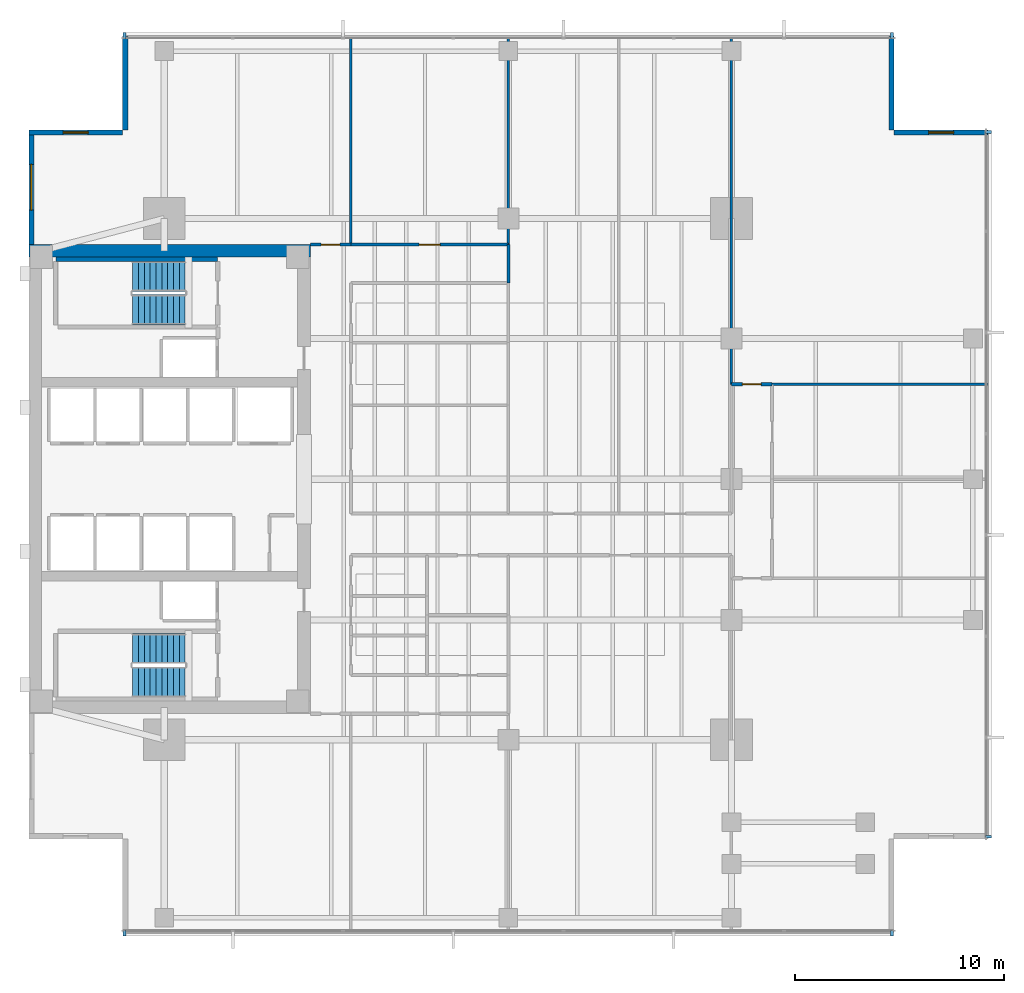
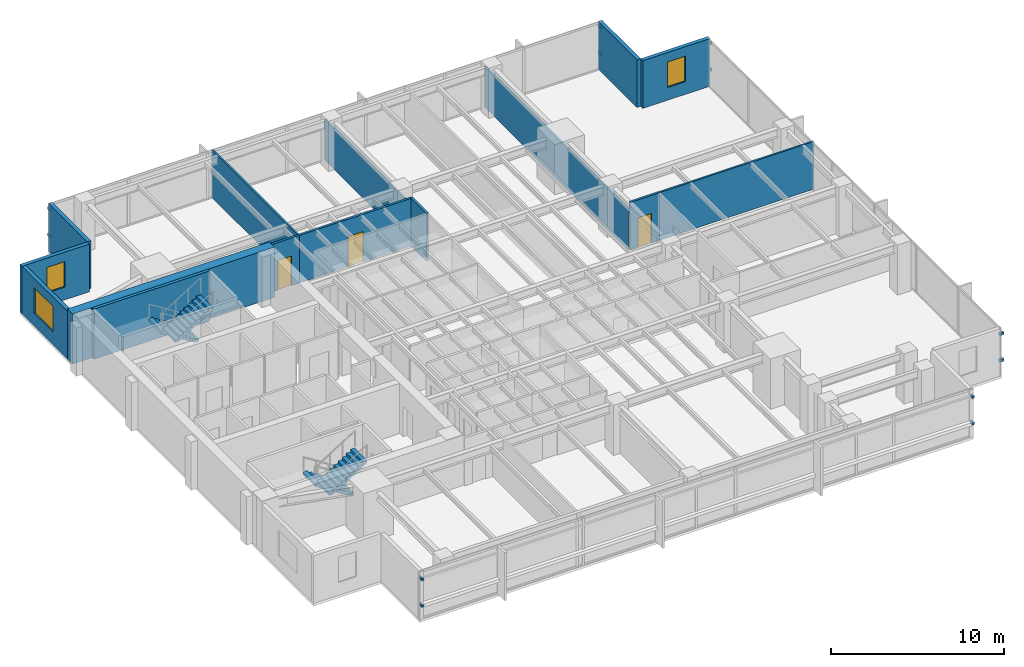
# One storey, part 10 of 14: 15 walls, 12 discrete accessories, 4 stair flights, 3 doors, 3 windows, 6 openings, 2 elements without a shape of their own.
"""IFC4 building model written with IfcOpenShell, lengths in metres."""

from ifc_helpers import new_model, si_unit, direction, frame, frame_2d, origin, origin_2d, place, context, subcontext, project, spatial, polyline, rectangle, outline, extrude, material, layer, layer_set, type_object, element, fill, aggregate, save


model = new_model("IFC4")

# Units and contexts
model_context = context("Model", 3, precision=1e-05, world=origin(), true_north=direction((0.0, 1.0)))
body_context = subcontext(model_context, "Body", "Model", "MODEL_VIEW")
ifc_project = project(units=[si_unit("LENGTHUNIT", "METRE"), si_unit("AREAUNIT", "SQUARE_METRE"), si_unit("VOLUMEUNIT", "CUBIC_METRE"), si_unit("PLANEANGLEUNIT", "RADIAN"), si_unit("MASSUNIT", "GRAM", prefix="KILO")], contexts=[model_context])

# Site, building, storey
site_placement = place(None, origin())
site = spatial("IfcSite", under=ifc_project, at=site_placement, CompositionType="ELEMENT")
building_placement = place(site_placement, origin())
building = spatial("IfcBuilding", under=site, at=building_placement, Name="Kinhvarn Gate Tower", CompositionType="ELEMENT")
storey_placement = place(building_placement, frame((0.0, 0.0, 166.14990234375)))
storey = spatial("IfcBuildingStorey", under=building, at=storey_placement, Name="L44", CompositionType="ELEMENT", Elevation=166.14990234375)

# Wall
ifc_material_1 = material(Name="Concrete C60/75", Category="concrete")
ifc_layer_1 = layer(ifc_material_1, 0.60009765625)
ifc_layer_set_1 = layer_set([ifc_layer_1], Name="Concrete C60/75")
wall_type_1 = type_object("IfcWallType", Name="WL-CORE-600", PredefinedType="SHEAR", material=ifc_layer_set_1)
wall_1_placement = place(storey_placement, frame((4.5, 36.199951171875, 0.0), z_axis=(0.0, 0.0, 1.0), x_axis=(1.0, 0.0, 0.0)))
element("IfcWall", 1, at=wall_1_placement, inside=storey, type_object=wall_type_1, Name="Core North Shear Wall L44 600 mm", PredefinedType="SHEAR", context=body_context, shape_type="SweptSolid", body=[
    extrude(rectangle(XDim=13.5, YDim=0.60009765625, at=frame_2d((6.75, 0.0))), origin(), (0.0, 0.0, 1.0), 3.550048828125),
])

# Wall, opening, window
ifc_material_2 = material(Name="Fired architectural terracotta", Category="masonry")
ifc_layer_2 = layer(ifc_material_2, 0.25)
ifc_layer_set_2 = layer_set([ifc_layer_2], Name="Fired architectural terracotta")
wall_type_2 = type_object("IfcWallType", Name="WL-EXT-250", PredefinedType="SOLIDWALL", material=ifc_layer_set_2)
wall_2_placement = place(storey_placement, frame((4.625, 42.0, 0.0), z_axis=(0.0, 0.0, 1.0), x_axis=(0.0, -1.0, 0.0)))
wall_2 = element("IfcWall", 2, at=wall_2_placement, inside=storey, type_object=wall_type_2, Name="Exterior Solidwall Wall EW-250 (L44 West-North)", PredefinedType="SOLIDWALL", context=body_context, shape_type="SweptSolid", body=[
    extrude(rectangle(XDim=5.5, YDim=0.25, at=frame_2d((2.75, 0.0))), origin(), (0.0, 0.0, 1.0), 3.3701171875),
])
opening_1_placement = place(wall_2_placement, frame((1.64990234375, 0.0, 0.89990234375)))
opening_1 = element("IfcOpeningElement", 3, at=opening_1_placement, cuts=wall_2, Name="Opening WN-01", PredefinedType="OPENING", context=body_context, shape_type="SweptSolid", body=[
    extrude(rectangle(XDim=2.199951171875, YDim=1.800048828125, at=frame_2d((1.10009765625, 0.89990234375))), frame((0.0, 0.135009765625, 0.0), z_axis=(0.0, -1.0, 0.0), x_axis=(1.0, 0.0, 0.0)), (0.0, 0.0, 1.0), 0.27001953125),
])
ifc_material_3 = material(Name="Clear low-e double glazing", Category="glass")
window_type_1 = type_object("IfcWindowType", Name="WIN-RIB-2200", PartitioningType="SINGLE_PANEL", PredefinedType="WINDOW", material=ifc_material_3)
window_1_placement = place(opening_1_placement, origin())
window_1 = element("IfcWindow", 4, at=window_1_placement, inside=storey, type_object=window_type_1, Name="West Flank Double-Glazed Ribbon Window 2200x1800 mm (L44)", OverallHeight=1.800048828125, OverallWidth=2.199951171875, PartitioningType="SINGLE_PANEL", PredefinedType="WINDOW", context=body_context, shape_type="SweptSolid", body=[
    extrude(rectangle(XDim=2.199951171875, YDim=1.800048828125, at=frame_2d((1.10009765625, 0.89990234375))), frame((0.0, 0.030029296875, 0.0), z_axis=(0.0, -1.0, 0.0), x_axis=(1.0, 0.0, 0.0)), (0.0, 0.0, 1.0), 0.06005859375),
])
fill(opening_1, window_1)

wall_3_placement = place(storey_placement, frame((50.5, 41.875, 0.0), z_axis=(0.0, 0.0, 1.0), x_axis=(-1.0, 0.0, 0.0)))
wall_3 = element("IfcWall", 5, at=wall_3_placement, inside=storey, type_object=wall_type_2, Name="Exterior Solidwall Wall EW-250 (L44 NE-Notch-1)", PredefinedType="SOLIDWALL", context=body_context, shape_type="SweptSolid", body=[
    extrude(rectangle(XDim=4.5, YDim=0.25, at=frame_2d((2.25, 0.0))), origin(), (0.0, 0.0, 1.0), 3.3701171875),
])
opening_2_placement = place(wall_3_placement, frame((1.64990234375, 0.0, 0.89990234375)))
opening_2 = element("IfcOpeningElement", 6, at=opening_2_placement, cuts=wall_3, Name="Opening WN-02", PredefinedType="OPENING", context=body_context, shape_type="SweptSolid", body=[
    extrude(rectangle(XDim=1.199951171875, YDim=1.800048828125, at=frame_2d((0.60009765625, 0.89990234375))), frame((0.0, 0.135009765625, 0.0), z_axis=(0.0, -1.0, 0.0), x_axis=(1.0, 0.0, 0.0)), (0.0, 0.0, 1.0), 0.27001953125),
])
window_type_2 = type_object("IfcWindowType", Name="WIN-NTC-1200", PartitioningType="SINGLE_PANEL", PredefinedType="WINDOW", material=ifc_material_3)
window_2_placement = place(opening_2_placement, origin())
window_2 = element("IfcWindow", 7, at=window_2_placement, inside=storey, type_object=window_type_2, Name="Recessed Corner Notch Punched Window 1200x1800 mm (L44)", OverallHeight=1.800048828125, OverallWidth=1.199951171875, PartitioningType="SINGLE_PANEL", PredefinedType="WINDOW", context=body_context, shape_type="SweptSolid", body=[
    extrude(rectangle(XDim=1.199951171875, YDim=1.800048828125, at=frame_2d((0.60009765625, 0.89990234375))), frame((0.0, 0.030029296875, 0.0), z_axis=(0.0, -1.0, 0.0), x_axis=(1.0, 0.0, 0.0)), (0.0, 0.0, 1.0), 0.06005859375),
])
fill(opening_2, window_2)

# Walls
for number, where, z_axis, x_axis, name in (
    (8, (45.875, 42.0, 0.0), (0.0, 0.0, 1.0), (0.0, 1.0, 0.0), "Exterior Solidwall Wall EW-250 (L44 NE-Notch-2)"),
    (9, (9.125, 46.5, 0.0), (0.0, 0.0, 1.0), (0.0, -1.0, 0.0), "Exterior Solidwall Wall EW-250 (L44 NW-Notch-1)"),
):
    element("IfcWall", number, at=place(storey_placement, frame(where, z_axis=z_axis, x_axis=x_axis)), inside=storey, type_object=wall_type_2, Name=name, PredefinedType="SOLIDWALL", context=body_context, shape_type="SweptSolid", body=[
        extrude(rectangle(XDim=4.5, YDim=0.25, at=frame_2d((2.25, 0.0))), origin(), (0.0, 0.0, 1.0), 3.3701171875),
    ])

# Wall, opening, window
wall_4_placement = place(storey_placement, frame((9.0, 41.875, 0.0), z_axis=(0.0, 0.0, 1.0), x_axis=(-1.0, 0.0, 0.0)))
wall_4 = element("IfcWall", 10, at=wall_4_placement, inside=storey, type_object=wall_type_2, Name="Exterior Solidwall Wall EW-250 (L44 NW-Notch-2)", PredefinedType="SOLIDWALL", context=body_context, shape_type="SweptSolid", body=[
    extrude(rectangle(XDim=4.5, YDim=0.25, at=frame_2d((2.25, 0.0))), origin(), (0.0, 0.0, 1.0), 3.3701171875),
])
opening_3_placement = place(wall_4_placement, frame((1.64990234375, 0.0, 0.89990234375)))
opening_3 = element("IfcOpeningElement", 11, at=opening_3_placement, cuts=wall_4, Name="Opening WN-02", PredefinedType="OPENING", context=body_context, shape_type="SweptSolid", body=[
    extrude(rectangle(XDim=1.199951171875, YDim=1.800048828125, at=frame_2d((0.60009765625, 0.89990234375))), frame((0.0, 0.135009765625, 0.0), z_axis=(0.0, -1.0, 0.0), x_axis=(1.0, 0.0, 0.0)), (0.0, 0.0, 1.0), 0.27001953125),
])
window_3_placement = place(opening_3_placement, origin())
window_3 = element("IfcWindow", 12, at=window_3_placement, inside=storey, type_object=window_type_2, Name="Recessed Corner Notch Punched Window 1200x1800 mm (L44)", OverallHeight=1.800048828125, OverallWidth=1.199951171875, PartitioningType="SINGLE_PANEL", PredefinedType="WINDOW", context=body_context, shape_type="SweptSolid", body=[
    extrude(rectangle(XDim=1.199951171875, YDim=1.800048828125, at=frame_2d((0.60009765625, 0.89990234375))), frame((0.0, 0.030029296875, 0.0), z_axis=(0.0, -1.0, 0.0), x_axis=(1.0, 0.0, 0.0)), (0.0, 0.0, 1.0), 0.06005859375),
])
fill(opening_3, window_3)

# Walls
ifc_material_4 = material(Name="Gypsum acoustic partition board")
ifc_layer_3 = layer(ifc_material_4, 0.1201171875)
ifc_layer_set_3 = layer_set([ifc_layer_3], Name="Gypsum acoustic partition board")
wall_type_3 = type_object("IfcWallType", Name="WL-PRT-120", PredefinedType="PARTITIONING", material=ifc_layer_set_3)
wall_5_placement = place(storey_placement, frame((19.949951171875, 36.5, 0.0), z_axis=(0.0, 0.0, 1.0), x_axis=(0.0, 1.0, 0.0)))
element("IfcWall", 13, at=wall_5_placement, inside=storey, type_object=wall_type_3, Name="Interior Partition PW-120 (L44)", PredefinedType="PARTITIONING", context=body_context, shape_type="SweptSolid", body=[
    extrude(rectangle(XDim=9.989990234375, YDim=0.1201171875, at=frame_2d((4.9951171875, 0.0))), origin(), (0.0, 0.0, 1.0), 3.3701171875),
])
wall_6_placement = place(storey_placement, frame((27.5, 36.5, 0.0), z_axis=(0.0, 0.0, 1.0), x_axis=(0.0, 1.0, 0.0)))
element("IfcWall", 14, at=wall_6_placement, inside=storey, type_object=wall_type_3, Name="Interior Partition PW-120 (L44)", PredefinedType="PARTITIONING", context=body_context, shape_type="SweptSolid", body=[
    extrude(rectangle(XDim=9.989990234375, YDim=0.1201171875, at=frame_2d((4.9951171875, 0.0))), origin(), (0.0, 0.0, 1.0), 2.8701171875),
])
wall_7_placement = place(storey_placement, frame((38.199951171875, 29.800048828125, 0.0), z_axis=(0.0, 0.0, 1.0), x_axis=(0.0, 1.0, 0.0)))
element("IfcWall", 15, at=wall_7_placement, inside=storey, type_object=wall_type_3, Name="Interior Partition PW-120 (L44)", PredefinedType="PARTITIONING", context=body_context, shape_type="SweptSolid", body=[
    extrude(rectangle(XDim=16.68994140625, YDim=0.1201171875, at=frame_2d((8.344970703125, 0.0))), origin(), (0.0, 0.0, 1.0), 2.8701171875),
])
wall_8_placement = place(storey_placement, frame((40.14990234375, 29.800048828125, 0.0), z_axis=(0.0, 0.0, 1.0), x_axis=(1.0, 0.0, 0.0)))
element("IfcWall", 16, at=wall_8_placement, inside=storey, type_object=wall_type_3, Name="Interior Partition PW-120 (L44)", PredefinedType="PARTITIONING", context=body_context, shape_type="SweptSolid", body=[
    extrude(rectangle(XDim=10.340087890625, YDim=0.1201171875, at=frame_2d((5.169921875, 0.0))), origin(), (0.0, 0.0, 1.0), 3.3701171875),
])

# Wall, opening, door
ifc_layer_4 = layer(ifc_material_4, 0.14990234375)
ifc_layer_set_4 = layer_set([ifc_layer_4], Name="Gypsum acoustic partition board")
wall_type_4 = type_object("IfcWallType", Name="WL-PRT-150F", PredefinedType="PARTITIONING", material=ifc_layer_set_4)
wall_9_placement = place(storey_placement, frame((18.0, 36.5, 0.0), z_axis=(0.0, 0.0, 1.0), x_axis=(1.0, 0.0, 0.0)))
wall_9 = element("IfcWall", 17, at=wall_9_placement, inside=storey, type_object=wall_type_4, Name="Interior Partition PW-150F (L44)", PredefinedType="PARTITIONING", context=body_context, shape_type="SweptSolid", body=[
    extrude(rectangle(XDim=1.949951171875, YDim=0.14990234375, at=frame_2d((0.97509765625, 0.0))), origin(), (0.0, 0.0, 1.0), 3.3701171875),
])
opening_4_placement = place(wall_9_placement, frame((0.52490234375, 0.0, 0.0)))
opening_4 = element("IfcOpeningElement", 18, at=opening_4_placement, cuts=wall_9, Name="Opening ID-03", PredefinedType="OPENING", context=body_context, shape_type="SweptSolid", body=[
    extrude(rectangle(XDim=0.89990234375, YDim=2.10009765625, at=frame_2d((0.449951171875, 1.050048828125))), frame((0.0, 0.0849609375, 0.0), z_axis=(0.0, -1.0, 0.0), x_axis=(1.0, 0.0, 0.0)), (0.0, 0.0, 1.0), 0.169921875),
])
ifc_material_5 = material(Name="Anodised aluminium AW-6063", Category="aluminium")
door_type_1 = type_object("IfcDoorType", Name="DR-INT-900", OperationType="NOTDEFINED", PredefinedType="DOOR", material=ifc_material_5)
door_1_placement = place(opening_4_placement, origin())
door_1 = element("IfcDoor", 19, at=door_1_placement, inside=storey, type_object=door_type_1, Name="Cellular Office & Restroom Door 900x2100 mm (L44)", OperationType="SINGLE_SWING_RIGHT", OverallHeight=2.10009765625, OverallWidth=0.89990234375, PredefinedType="DOOR", context=body_context, shape_type="SweptSolid", body=[
    extrude(rectangle(XDim=0.89990234375, YDim=2.10009765625, at=frame_2d((0.449951171875, 1.050048828125))), frame((0.0, 0.02490234375, 0.0), z_axis=(0.0, -1.0, 0.0), x_axis=(1.0, 0.0, 0.0)), (0.0, 0.0, 1.0), 0.050048828125),
])
fill(opening_4, door_1)

wall_10_placement = place(storey_placement, frame((19.949951171875, 36.5, 0.0), z_axis=(0.0, 0.0, 1.0), x_axis=(1.0, 0.0, 0.0)))
wall_10 = element("IfcWall", 20, at=wall_10_placement, inside=storey, type_object=wall_type_4, Name="Interior Partition PW-150F (L44)", PredefinedType="PARTITIONING", context=body_context, shape_type="SweptSolid", body=[
    extrude(rectangle(XDim=7.550048828125, YDim=0.14990234375, at=frame_2d((3.77490234375, 0.0))), origin(), (0.0, 0.0, 1.0), 3.3701171875),
])
opening_5_placement = place(wall_10_placement, frame((3.27490234375, 0.0, 0.0)))
opening_5 = element("IfcOpeningElement", 21, at=opening_5_placement, cuts=wall_10, Name="Opening ID-02", PredefinedType="OPENING", context=body_context, shape_type="SweptSolid", body=[
    extrude(rectangle(XDim=1.0, YDim=2.14990234375, at=frame_2d((0.5, 1.074951171875))), frame((0.0, 0.0849609375, 0.0), z_axis=(0.0, -1.0, 0.0), x_axis=(1.0, 0.0, 0.0)), (0.0, 0.0, 1.0), 0.169921875),
])
door_type_2 = type_object("IfcDoorType", Name="DR-INT-1000", OperationType="NOTDEFINED", PredefinedType="DOOR", material=ifc_material_5)
door_2_placement = place(opening_5_placement, origin())
door_2 = element("IfcDoor", 22, at=door_2_placement, inside=storey, type_object=door_type_2, Name="Standard Office & Meeting Room Door 1000x2150 mm (L44)", OperationType="SINGLE_SWING_LEFT", OverallHeight=2.14990234375, OverallWidth=1.0, PredefinedType="DOOR", context=body_context, shape_type="SweptSolid", body=[
    extrude(rectangle(XDim=1.0, YDim=2.14990234375, at=frame_2d((0.5, 1.074951171875))), frame((0.0, 0.02490234375, 0.0), z_axis=(0.0, -1.0, 0.0), x_axis=(1.0, 0.0, 0.0)), (0.0, 0.0, 1.0), 0.050048828125),
])
fill(opening_5, door_2)

# Wall
wall_11_placement = place(storey_placement, frame((27.5, 34.64990234375, 0.0), z_axis=(0.0, 0.0, 1.0), x_axis=(0.0, 1.0, 0.0)))
element("IfcWall", 23, at=wall_11_placement, inside=storey, type_object=wall_type_4, Name="Interior Partition PW-150F (L44)", PredefinedType="PARTITIONING", context=body_context, shape_type="SweptSolid", body=[
    extrude(rectangle(XDim=1.85009765625, YDim=0.14990234375, at=frame_2d((0.925048828125, 0.0))), origin(), (0.0, 0.0, 1.0), 3.3701171875),
])

# Wall, opening, door
wall_12_placement = place(storey_placement, frame((38.199951171875, 29.800048828125, 0.0), z_axis=(0.0, 0.0, 1.0), x_axis=(1.0, 0.0, 0.0)))
wall_12 = element("IfcWall", 24, at=wall_12_placement, inside=storey, type_object=wall_type_4, Name="Interior Partition PW-150F (L44)", PredefinedType="PARTITIONING", context=body_context, shape_type="SweptSolid", body=[
    extrude(rectangle(XDim=1.949951171875, YDim=0.14990234375, at=frame_2d((0.97509765625, 0.0))), origin(), (0.0, 0.0, 1.0), 3.3701171875),
])
opening_6_placement = place(wall_12_placement, frame((0.52490234375, 0.0, 0.0)))
opening_6 = element("IfcOpeningElement", 25, at=opening_6_placement, cuts=wall_12, Name="Opening ID-03", PredefinedType="OPENING", context=body_context, shape_type="SweptSolid", body=[
    extrude(rectangle(XDim=0.89990234375, YDim=2.10009765625, at=frame_2d((0.449951171875, 1.050048828125))), frame((0.0, 0.0849609375, 0.0), z_axis=(0.0, -1.0, 0.0), x_axis=(1.0, 0.0, 0.0)), (0.0, 0.0, 1.0), 0.169921875),
])
door_3_placement = place(opening_6_placement, origin())
door_3 = element("IfcDoor", 26, at=door_3_placement, inside=storey, type_object=door_type_1, Name="Cellular Office & Restroom Door 900x2100 mm (L44)", OperationType="SINGLE_SWING_LEFT", OverallHeight=2.10009765625, OverallWidth=0.89990234375, PredefinedType="DOOR", context=body_context, shape_type="SweptSolid", body=[
    extrude(rectangle(XDim=0.89990234375, YDim=2.10009765625, at=frame_2d((0.449951171875, 1.050048828125))), frame((0.0, 0.02490234375, 0.0), z_axis=(0.0, -1.0, 0.0), x_axis=(1.0, 0.0, 0.0)), (0.0, 0.0, 1.0), 0.050048828125),
])
fill(opening_6, door_3)

# Wall
ifc_material_6 = material(Name="Concrete C40/50", Category="concrete")
ifc_layer_5 = layer(ifc_material_6, 0.199951171875)
ifc_layer_set_5 = layer_set([ifc_layer_5], Name="Concrete C40/50")
wall_type_5 = type_object("IfcWallType", Name="WL-SHF-200", PredefinedType="SOLIDWALL", material=ifc_layer_set_5)
wall_13_placement = place(storey_placement, frame((5.800048828125, 35.800048828125, 0.0), z_axis=(0.0, 0.0, 1.0), x_axis=(1.0, 0.0, 0.0)))
element("IfcWall", 27, at=wall_13_placement, inside=storey, type_object=wall_type_5, Name="Stair ST2 North Shaft Wall (L44)", PredefinedType="SOLIDWALL", context=body_context, shape_type="SweptSolid", body=[
    extrude(rectangle(XDim=7.75, YDim=0.199951171875, at=frame_2d((3.875, 0.0))), origin(), (0.0, 0.0, 1.0), 3.550048828125),
])

# Stair, stair flights
stair_type = type_object("IfcStairType", Name="STR-DLG-177", PredefinedType="HALF_TURN_STAIR", material=ifc_material_6)
stair_1_placement = place(storey_placement, origin())
stair_1 = element("IfcStair", 28, at=stair_1_placement, inside=storey, type_object=stair_type, Name="L44 Core Smokeproof Exit Stair ST1", PredefinedType="HALF_TURN_STAIR")
stair_flight_type = type_object("IfcStairFlightType", Name="STF-DLG-177", PredefinedType="STRAIGHT", material=ifc_material_6)
stair_flight_1_placement = place(storey_placement, frame((12.0, 17.125, 0.0), z_axis=(0.0, 0.0, 1.0), x_axis=(-1.0, 0.0, 0.0)))
stair_flight_1 = element("IfcStairFlight", 29, at=stair_flight_1_placement, type_object=stair_flight_type, Name="ST1 flight 1", NumberOfRisers=10, NumberOfTreads=9, PredefinedType="STRAIGHT", RiserHeight=0.1775, TreadLength=0.28, context=body_context, shape_type="SweptSolid", body=[
    extrude(outline(polyline([(0.0, 0.0), (0.0, 0.177490234375), (0.280029296875, 0.177490234375), (0.280029296875, 0.35498046875), (0.56005859375, 0.35498046875), (0.56005859375, 0.532470703125), (0.840087890625, 0.532470703125), (0.840087890625, 0.7099609375), (1.1201171875, 0.7099609375), (1.1201171875, 0.887451171875), (1.39990234375, 0.887451171875), (1.39990234375, 1.06494140625), (1.679931640625, 1.06494140625), (1.679931640625, 1.242431640625), (1.9599609375, 1.242431640625), (1.9599609375, 1.419921875), (2.239990234375, 1.419921875), (2.239990234375, 1.597412109375), (2.52001953125, 1.597412109375), (2.52001953125, 1.77490234375), (2.52001953125, 1.419921875), (0.280029296875, 0.0), (0.0, 0.0)])), frame((0.0, 0.72509765625, 0.0), z_axis=(0.0, -1.0, 0.0), x_axis=(1.0, 0.0, 0.0)), (0.0, 0.0, 1.0), 1.449951171875),
])
stair_flight_2_placement = place(storey_placement, frame((9.47998046875, 15.52490234375, 1.775146484375), z_axis=(0.0, 0.0, 1.0), x_axis=(1.0, 0.0, 0.0)))
stair_flight_2 = element("IfcStairFlight", 30, at=stair_flight_2_placement, type_object=stair_flight_type, Name="ST1 flight 2", NumberOfRisers=10, NumberOfTreads=9, PredefinedType="STRAIGHT", RiserHeight=0.1775, TreadLength=0.28, context=body_context, shape_type="SweptSolid", body=[
    extrude(outline(polyline([(0.0, 0.0), (0.0, 0.177490234375), (0.280029296875, 0.177490234375), (0.280029296875, 0.35498046875), (0.56005859375, 0.35498046875), (0.56005859375, 0.532470703125), (0.840087890625, 0.532470703125), (0.840087890625, 0.7099609375), (1.1201171875, 0.7099609375), (1.1201171875, 0.887451171875), (1.39990234375, 0.887451171875), (1.39990234375, 1.06494140625), (1.679931640625, 1.06494140625), (1.679931640625, 1.242431640625), (1.9599609375, 1.242431640625), (1.9599609375, 1.419921875), (2.239990234375, 1.419921875), (2.239990234375, 1.597412109375), (2.52001953125, 1.597412109375), (2.52001953125, 1.77490234375), (2.52001953125, 1.419921875), (0.280029296875, 0.0), (0.0, 0.0)])), frame((0.0, 0.72509765625, 0.0), z_axis=(0.0, -1.0, 0.0), x_axis=(1.0, 0.0, 0.0)), (0.0, 0.0, 1.0), 1.449951171875),
])
aggregate(stair_1, [stair_flight_1, stair_flight_2])

stair_2_placement = place(storey_placement, origin())
stair_2 = element("IfcStair", 31, at=stair_2_placement, inside=storey, type_object=stair_type, Name="L44 Core Smokeproof Exit Stair ST2", PredefinedType="HALF_TURN_STAIR")
stair_flight_3_placement = place(storey_placement, frame((12.0, 34.97509765625, 0.0), z_axis=(0.0, 0.0, 1.0), x_axis=(-1.0, 0.0, 0.0)))
stair_flight_3 = element("IfcStairFlight", 32, at=stair_flight_3_placement, type_object=stair_flight_type, Name="ST2 flight 1", NumberOfRisers=10, NumberOfTreads=9, PredefinedType="STRAIGHT", RiserHeight=0.1775, TreadLength=0.28, context=body_context, shape_type="SweptSolid", body=[
    extrude(outline(polyline([(0.0, 0.0), (0.0, 0.177490234375), (0.280029296875, 0.177490234375), (0.280029296875, 0.35498046875), (0.56005859375, 0.35498046875), (0.56005859375, 0.532470703125), (0.840087890625, 0.532470703125), (0.840087890625, 0.7099609375), (1.1201171875, 0.7099609375), (1.1201171875, 0.887451171875), (1.39990234375, 0.887451171875), (1.39990234375, 1.06494140625), (1.679931640625, 1.06494140625), (1.679931640625, 1.242431640625), (1.9599609375, 1.242431640625), (1.9599609375, 1.419921875), (2.239990234375, 1.419921875), (2.239990234375, 1.597412109375), (2.52001953125, 1.597412109375), (2.52001953125, 1.77490234375), (2.52001953125, 1.419921875), (0.280029296875, 0.0), (0.0, 0.0)])), frame((0.0, 0.72509765625, 0.0), z_axis=(0.0, -1.0, 0.0), x_axis=(1.0, 0.0, 0.0)), (0.0, 0.0, 1.0), 1.449951171875),
])
stair_flight_4_placement = place(storey_placement, frame((9.47998046875, 33.375, 1.775146484375), z_axis=(0.0, 0.0, 1.0), x_axis=(1.0, 0.0, 0.0)))
stair_flight_4 = element("IfcStairFlight", 33, at=stair_flight_4_placement, type_object=stair_flight_type, Name="ST2 flight 2", NumberOfRisers=10, NumberOfTreads=9, PredefinedType="STRAIGHT", RiserHeight=0.1775, TreadLength=0.28, context=body_context, shape_type="SweptSolid", body=[
    extrude(outline(polyline([(0.0, 0.0), (0.0, 0.177490234375), (0.280029296875, 0.177490234375), (0.280029296875, 0.35498046875), (0.56005859375, 0.35498046875), (0.56005859375, 0.532470703125), (0.840087890625, 0.532470703125), (0.840087890625, 0.7099609375), (1.1201171875, 0.7099609375), (1.1201171875, 0.887451171875), (1.39990234375, 0.887451171875), (1.39990234375, 1.06494140625), (1.679931640625, 1.06494140625), (1.679931640625, 1.242431640625), (1.9599609375, 1.242431640625), (1.9599609375, 1.419921875), (2.239990234375, 1.419921875), (2.239990234375, 1.597412109375), (2.52001953125, 1.597412109375), (2.52001953125, 1.77490234375), (2.52001953125, 1.419921875), (0.280029296875, 0.0), (0.0, 0.0)])), frame((0.0, 0.72509765625, 0.0), z_axis=(0.0, -1.0, 0.0), x_axis=(1.0, 0.0, 0.0)), (0.0, 0.0, 1.0), 1.449951171875),
])
aggregate(stair_2, [stair_flight_3, stair_flight_4])

# Discrete accessories
discrete_accessory_type = type_object("IfcDiscreteAccessoryType", Name="ACC-BRK-01", PredefinedType="BRACKET", material=ifc_material_5)
for number, where, z_axis, x_axis, name in (
    (34, (9.10009765625, 3.469970703125, 0.9599609375), (0.0, 0.0, 1.0), (1.0, 0.0, 0.0), "Baguette Support Bracket BK-01 (L44)"),
    (35, (9.10009765625, 3.469970703125, 2.830078125), (0.0, 0.0, 1.0), (1.0, 0.0, 0.0), "Baguette Support Bracket BK-01 (L44)"),
    (36, (45.89990234375, 3.469970703125, 0.9599609375), (0.0, 0.0, 1.0), (1.0, 0.0, 0.0), "Baguette Support Bracket BK-01 (L44)"),
    (37, (45.89990234375, 3.469970703125, 2.830078125), (0.0, 0.0, 1.0), (1.0, 0.0, 0.0), "Baguette Support Bracket BK-01 (L44)"),
    (38, (45.89990234375, 46.530029296875, 0.9599609375), (0.0, 0.0, 1.0), (-1.0, 0.0, 0.0), "Baguette Support Bracket BK-01 (L44)"),
    (39, (45.89990234375, 46.530029296875, 2.830078125), (0.0, 0.0, 1.0), (-1.0, 0.0, 0.0), "Baguette Support Bracket BK-01 (L44)"),
    (40, (9.10009765625, 46.530029296875, 0.9599609375), (0.0, 0.0, 1.0), (-1.0, 0.0, 0.0), "Baguette Support Bracket BK-01 (L44)"),
    (41, (9.10009765625, 46.530029296875, 2.830078125), (0.0, 0.0, 1.0), (-1.0, 0.0, 0.0), "Baguette Support Bracket BK-01 (L44)"),
    (42, (50.530029296875, 8.10009765625, 0.9599609375), (0.0, 0.0, 1.0), (0.0, 1.0, 0.0), "Baguette Support Bracket BK-01 (L44)"),
    (43, (50.530029296875, 8.10009765625, 2.830078125), (0.0, 0.0, 1.0), (0.0, 1.0, 0.0), "Baguette Support Bracket BK-01 (L44)"),
    (44, (50.530029296875, 41.89990234375, 0.9599609375), (0.0, 0.0, 1.0), (0.0, 1.0, 0.0), "Baguette Support Bracket BK-01 (L44)"),
    (45, (50.530029296875, 41.89990234375, 2.830078125), (0.0, 0.0, 1.0), (0.0, 1.0, 0.0), "Baguette Support Bracket BK-01 (L44)"),
):
    element("IfcDiscreteAccessory", number, at=place(storey_placement, frame(where, z_axis=z_axis, x_axis=x_axis)), inside=storey, type_object=discrete_accessory_type, Name=name, PredefinedType="BRACKET", context=body_context, shape_type="SweptSolid", body=[
        extrude(rectangle(XDim=0.139892578125, YDim=0.280029296875, at=origin_2d()), origin(), (0.0, 0.0, 1.0), 0.179931640625),
    ])

save(model, "model.ifc")
